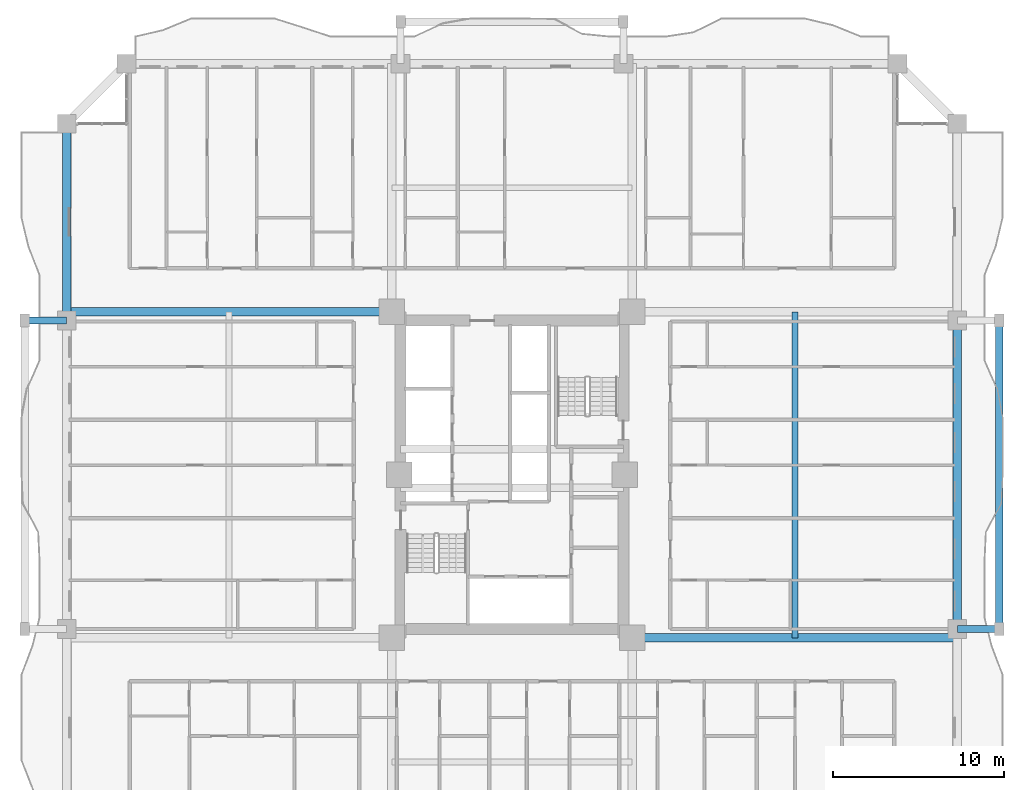
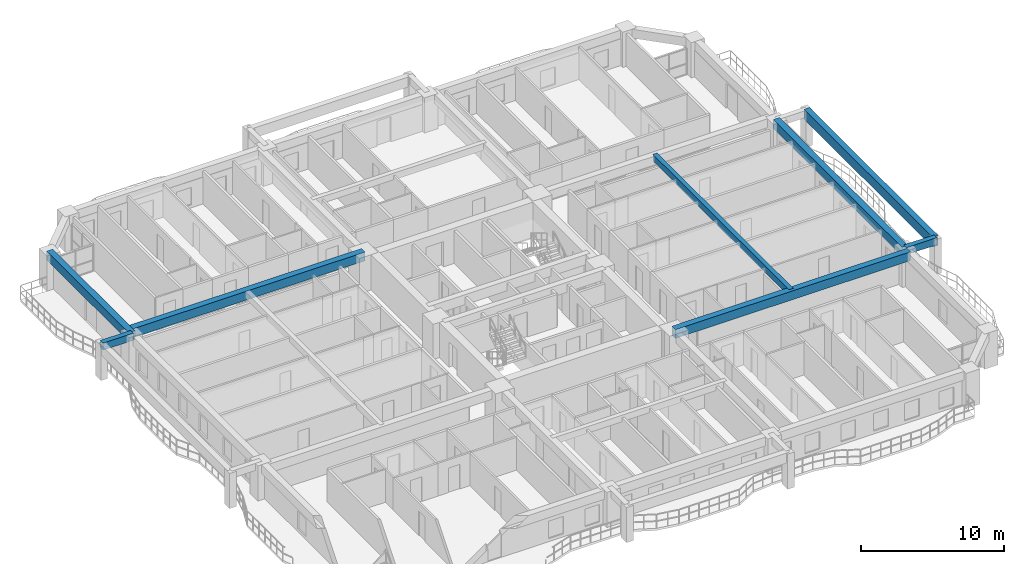
# One storey, part 5 of 28: 8 beams.
"""IFC4 building model written with IfcOpenShell, lengths in metres."""

from ifc_helpers import new_model, si_unit, direction, frame, origin, origin_2d, place, context, subcontext, project, spatial, rectangle, extrude, source, transform, mapped, material, material_profile, profile_set, type_object, element, save


model = new_model("IFC4")

# Units and contexts
model_context = context("Model", 3, precision=1e-05, world=origin(), true_north=direction((0.0, 1.0)))
body_context = subcontext(model_context, "Body", "Model", "MODEL_VIEW")
ifc_project = project(units=[si_unit("LENGTHUNIT", "METRE"), si_unit("AREAUNIT", "SQUARE_METRE"), si_unit("VOLUMEUNIT", "CUBIC_METRE"), si_unit("PLANEANGLEUNIT", "RADIAN"), si_unit("MASSUNIT", "GRAM", prefix="KILO")], contexts=[model_context])

# Site, building, storey
site_placement = place(None, origin())
site = spatial("IfcSite", under=ifc_project, at=site_placement, CompositionType="ELEMENT")
building_placement = place(site_placement, origin())
building = spatial("IfcBuilding", under=site, at=building_placement, Name="Saelheon Loggia Tower", CompositionType="ELEMENT")
storey_placement = place(building_placement, frame((0.0, 0.0, 61.39990234375)))
storey = spatial("IfcBuildingStorey", under=building, at=storey_placement, Name="L19", CompositionType="ELEMENT", Elevation=61.39990234375)

# Beams
ifc_material_1 = material(Name="Concrete C45/55", Category="concrete")
ifc_material_profile_1 = material_profile(ifc_material_1, rectangle(XDim=0.5, YDim=0.75, at=origin_2d()), Name="RC-500x750")
ifc_profile_set_1 = profile_set([ifc_material_profile_1], Name="Concrete C45/55")
beam_type_1 = type_object("IfcBeamType", Name="Beam_PerimGirder_RC500x750", PredefinedType="BEAM", material=ifc_profile_set_1)
shared_shape_1 = source(origin(), body_context, "Body", "SweptSolid", [
    extrude(rectangle(XDim=0.5, YDim=0.75, at=origin_2d()), origin(), (0.0, 0.0, 1.0), 11.5),
])
beam_1_placement = place(storey_placement, frame((12.0, 47.5, 2.625), z_axis=(0.0, -1.0, 0.0), x_axis=(1.0, 0.0, 0.0)))
element("IfcBeam", 1, at=beam_1_placement, inside=storey, type_object=beam_type_1, Name="L19 Perimeter Frame Girder 13", PredefinedType="BEAM", context=body_context, shape_type="MappedRepresentation", body=[
    mapped(shared_shape_1, transform((0.0, 0.0, 0.0), scale=1.0)),
])
shared_shape_2 = source(origin(), body_context, "Body", "SweptSolid", [
    extrude(rectangle(XDim=0.5, YDim=0.75, at=origin_2d()), origin(), (0.0, 0.0, 1.0), 18.0),
])
beam_2_placement = place(storey_placement, frame((64.0, 18.0, 2.625), z_axis=(0.0, 1.0, 0.0), x_axis=(-1.0, 0.0, 0.0)))
element("IfcBeam", 2, at=beam_2_placement, inside=storey, type_object=beam_type_1, Name="L19 Perimeter Frame Girder 06", PredefinedType="BEAM", context=body_context, shape_type="MappedRepresentation", body=[
    mapped(shared_shape_2, transform((0.0, 0.0, 0.0), scale=1.0)),
])
ifc_material_profile_2 = material_profile(ifc_material_1, rectangle(XDim=0.5, YDim=0.75, at=origin_2d()), Name="RC-500x750")
ifc_profile_set_2 = profile_set([ifc_material_profile_2], Name="Concrete C45/55")
beam_type_2 = type_object("IfcBeamType", Name="Beam_FloorGirder_RC500x750", PredefinedType="BEAM", material=ifc_profile_set_2)
shared_shape_3 = source(origin(), body_context, "Body", "SweptSolid", [
    extrude(rectangle(XDim=0.5, YDim=0.75, at=origin_2d()), origin(), (0.0, 0.0, 1.0), 18.97998046875),
])
for number, where, z_axis, x_axis, name in (
    (3, (30.97998046875, 36.52001953125, 2.625), (-1.0, 0.0, 0.0), (0.0, -1.0, 0.0), "L19 Radial Floor Girder RAD-NW-W"),
    (4, (45.02001953125, 17.47998046875, 2.625), (1.0, 0.0, 0.0), (0.0, 1.0, 0.0), "L19 Radial Floor Girder RAD-SE-E"),
):
    element("IfcBeam", number, at=place(storey_placement, frame(where, z_axis=z_axis, x_axis=x_axis)), inside=storey, type_object=beam_type_2, Name=name, PredefinedType="BEAM", context=body_context, shape_type="MappedRepresentation", body=[
        mapped(shared_shape_3, transform((0.0, 0.0, 0.0), scale=1.0)),
    ])
ifc_material_2 = material(Name="Concrete C40/50", Category="concrete")
ifc_material_profile_3 = material_profile(ifc_material_2, rectangle(XDim=0.35009765625, YDim=0.550048828125, at=origin_2d()), Name="RC-350x550")
ifc_profile_set_3 = profile_set([ifc_material_profile_3], Name="Concrete C40/50")
beam_type_3 = type_object("IfcBeamType", Name="Beam_Joist_RC350x550", PredefinedType="JOIST", material=ifc_profile_set_3)
shared_shape_4 = source(origin(), body_context, "Body", "SweptSolid", [
    extrude(rectangle(XDim=0.35009765625, YDim=0.550048828125, at=origin_2d()), origin(), (0.0, 0.0, 1.0), 19.0400390625),
])
beam_3_placement = place(storey_placement, frame((54.510009765625, 17.47998046875, 2.72509765625), z_axis=(0.0, 1.0, 0.0), x_axis=(-1.0, 0.0, 0.0)))
element("IfcBeam", 5, at=beam_3_placement, inside=storey, type_object=beam_type_3, Name="L19 East Floor Joist", PredefinedType="JOIST", context=body_context, shape_type="MappedRepresentation", body=[
    mapped(shared_shape_4, transform((0.0, 0.0, 0.0), scale=1.0)),
])
ifc_material_3 = material(Name="Precast Concrete C45/55", Category="concrete")
ifc_material_profile_4 = material_profile(ifc_material_3, rectangle(XDim=0.39990234375, YDim=0.60009765625, at=origin_2d()), Name="RC-400x600")
ifc_profile_set_4 = profile_set([ifc_material_profile_4], Name="Precast Concrete C45/55")
beam_type_4 = type_object("IfcBeamType", Name="Beam_LoggiaTie_RC400x600", PredefinedType="BEAM", material=ifc_profile_set_4)
shared_shape_5 = source(origin(), body_context, "Body", "SweptSolid", [
    extrude(rectangle(XDim=0.39990234375, YDim=0.60009765625, at=origin_2d()), origin(), (0.0, 0.0, 1.0), 2.449951171875),
])
for number, where, z_axis, x_axis, name in (
    (6, (64.0, 18.0, 2.7001953125), (1.0, 0.0, 0.0), (0.0, 1.0, 0.0), "L19 Loggia Frame Tie Beam LP-E1"),
    (7, (12.0, 36.0, 2.7001953125), (-1.0, 0.0, 0.0), (0.0, -1.0, 0.0), "L19 Loggia Frame Tie Beam LP-W2"),
):
    element("IfcBeam", number, at=place(storey_placement, frame(where, z_axis=z_axis, x_axis=x_axis)), inside=storey, type_object=beam_type_4, Name=name, PredefinedType="BEAM", context=body_context, shape_type="MappedRepresentation", body=[
        mapped(shared_shape_5, transform((0.0, 0.0, 0.0), scale=1.0)),
    ])
ifc_material_profile_5 = material_profile(ifc_material_3, rectangle(XDim=0.449951171875, YDim=0.85009765625, at=origin_2d()), Name="RC-450x850")
ifc_profile_set_5 = profile_set([ifc_material_profile_5], Name="Precast Concrete C45/55")
beam_type_5 = type_object("IfcBeamType", Name="Beam_LoggiaSpandrel_RC450x850", PredefinedType="SPANDREL", material=ifc_profile_set_5)
shared_shape_6 = source(origin(), body_context, "Body", "SweptSolid", [
    extrude(rectangle(XDim=0.449951171875, YDim=0.85009765625, at=origin_2d()), origin(), (0.0, 0.0, 1.0), 18.0),
])
beam_4_placement = place(storey_placement, frame((66.449951171875, 18.0, 2.5751953125), z_axis=(0.0, 1.0, 0.0), x_axis=(-1.0, 0.0, 0.0)))
element("IfcBeam", 8, at=beam_4_placement, inside=storey, type_object=beam_type_5, Name="L19 Loggia Spandrel Beam E", PredefinedType="SPANDREL", context=body_context, shape_type="MappedRepresentation", body=[
    mapped(shared_shape_6, transform((0.0, 0.0, 0.0), scale=1.0)),
])

save(model, "model.ifc")
